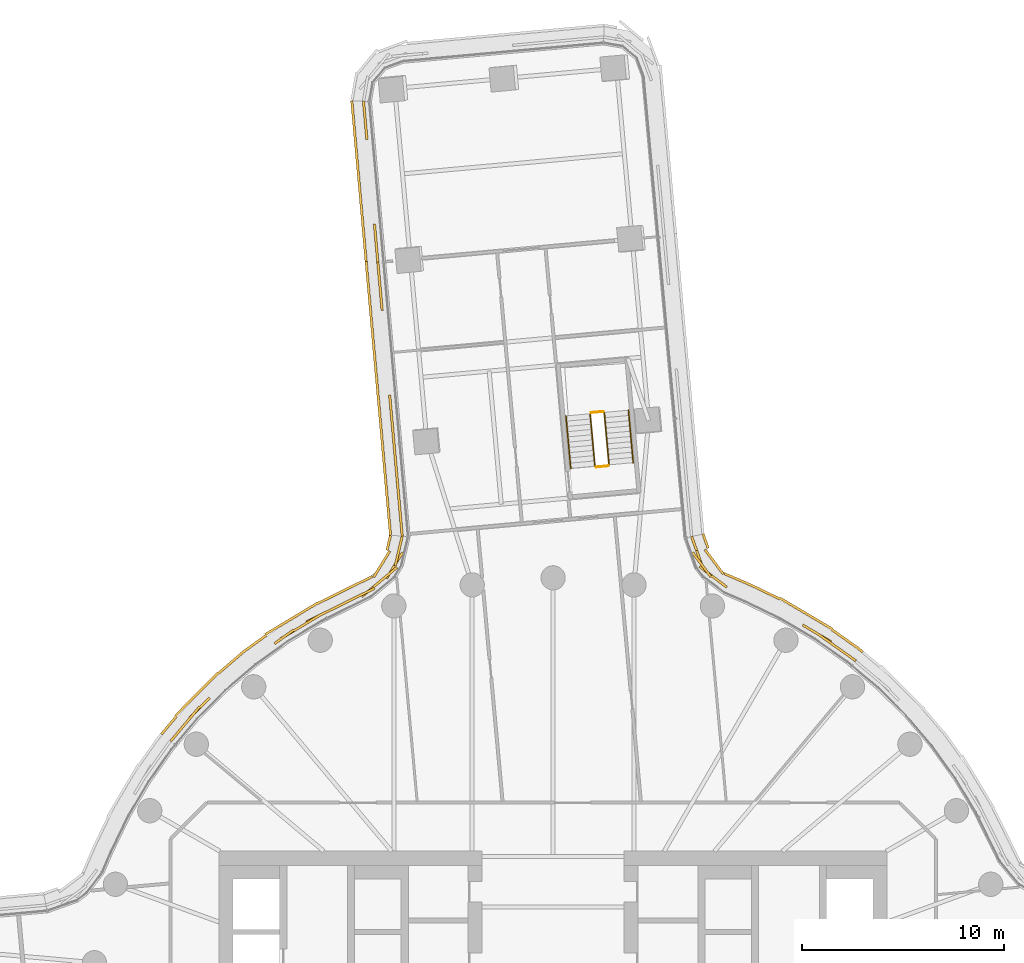
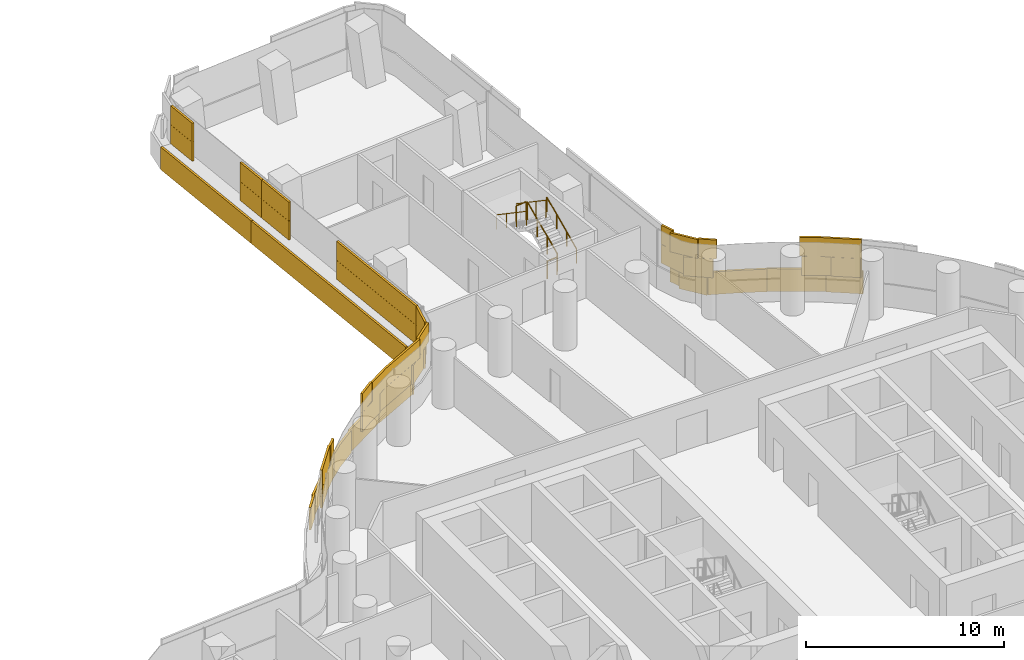
# One storey, part 30 of 31: 6 railings, 4 coverings.
"""IFC4 building model written with IfcOpenShell, lengths in metres."""

from ifc_helpers import new_model, si_unit, direction, frame, origin, origin_2d, place, context, subcontext, project, spatial, rectangle, circle, extrude, material, layer, layer_set, type_object, element, save


model = new_model("IFC4")

# Units and contexts
model_context = context("Model", 3, precision=1e-05, world=origin(), true_north=direction((0.0, 1.0)))
body_context = subcontext(model_context, "Body", "Model", "MODEL_VIEW")
ifc_project = project(units=[si_unit("LENGTHUNIT", "METRE"), si_unit("AREAUNIT", "SQUARE_METRE"), si_unit("VOLUMEUNIT", "CUBIC_METRE"), si_unit("PLANEANGLEUNIT", "RADIAN"), si_unit("MASSUNIT", "GRAM", prefix="KILO")], contexts=[model_context])

# Site, building, storey
site_placement = place(None, origin())
site = spatial("IfcSite", under=ifc_project, at=site_placement, CompositionType="ELEMENT")
building_placement = place(site_placement, origin())
building = spatial("IfcBuilding", under=site, at=building_placement, Name="Tamarind Cross Interchange Tower", CompositionType="ELEMENT")
storey_placement = place(building_placement, frame((0.0, 0.0, 52.75)))
storey = spatial("IfcBuildingStorey", under=building, at=storey_placement, Name="L11", CompositionType="ELEMENT", Elevation=52.75)

# Railings
ifc_material_1 = material(Name="Stair guard")
railing_type_1 = type_object("IfcRailingType", Name="Stair guard", PredefinedType="GUARDRAIL", material=ifc_material_1)
railing_1_placement = place(storey_placement, frame((2.762451171875, 28.578857421875, 0.17041015625)))
element("IfcRailing", 1, at=railing_1_placement, inside=storey, type_object=railing_type_1, Name="L11 ST4 stair guard 1", PredefinedType="GUARDRAIL", context=body_context, shape_type="SweptSolid", body=[
    extrude(circle(Radius=0.02392578125, at=origin_2d()), frame((0.0, 0.0, 1.076171875), z_axis=(-0.076173906507, 0.832808534539, 0.548295067247), x_axis=(-0.995843024037, -0.091086066319, 0.0)), (0.0, 0.0, 1.0), 3.10888671875),
    extrude(circle(Radius=0.02099609375, at=origin_2d()), origin(), (0.0, 0.0, 1.0), 1.052001953125),
    extrude(circle(Radius=0.02099609375, at=origin_2d()), frame((-0.078857421875, 0.863037109375, 0.568115234375)), (0.0, 0.0, 1.0), 1.052001953125),
    extrude(circle(Radius=0.02099609375, at=origin_2d()), frame((-0.157958984375, 1.72607421875, 1.136474609375)), (0.0, 0.0, 1.0), 1.052001953125),
    extrude(circle(Radius=0.02099609375, at=origin_2d()), frame((-0.23681640625, 2.589111328125, 1.70458984375)), (0.0, 0.0, 1.0), 1.052001953125),
])
railing_2_placement = place(storey_placement, frame((2.471435546875, 31.21337890625, 1.875)))
element("IfcRailing", 2, at=railing_2_placement, inside=storey, type_object=railing_type_1, Name="L11 ST4 stair guard 2", PredefinedType="GUARDRAIL", context=body_context, shape_type="SweptSolid", body=[
    extrude(circle(Radius=0.02392578125, at=origin_2d()), frame((0.0, 0.0, 1.076171875), z_axis=(-0.995839683098, -0.091122585382, 0.0), x_axis=(0.091122585382, -0.995839683098, 0.0)), (0.0, 0.0, 1.0), 0.60009765625),
    extrude(circle(Radius=0.02099609375, at=origin_2d()), origin(), (0.0, 0.0, 1.0), 1.052001953125),
    extrude(circle(Radius=0.02099609375, at=origin_2d()), frame((-0.59765625, -0.0546875, 0.0)), (0.0, 0.0, 1.0), 1.052001953125),
])
railing_3_placement = place(storey_placement, frame((1.82861328125, 31.104248046875, 2.04541015625)))
element("IfcRailing", 3, at=railing_3_placement, inside=storey, type_object=railing_type_1, Name="L11 ST4 stair guard 3", PredefinedType="GUARDRAIL", context=body_context, shape_type="SweptSolid", body=[
    extrude(circle(Radius=0.02392578125, at=origin_2d()), frame((0.0, 0.0, 1.076171875), z_axis=(0.076173906507, -0.832808534539, 0.548295067247), x_axis=(0.995843024037, 0.091086066319, 0.0)), (0.0, 0.0, 1.0), 3.10888671875),
    extrude(circle(Radius=0.02099609375, at=origin_2d()), origin(), (0.0, 0.0, 1.0), 1.052001953125),
    extrude(circle(Radius=0.02099609375, at=origin_2d()), frame((0.078857421875, -0.863037109375, 0.568115234375)), (0.0, 0.0, 1.0), 1.052001953125),
    extrude(circle(Radius=0.02099609375, at=origin_2d()), frame((0.157958984375, -1.72607421875, 1.136474609375)), (0.0, 0.0, 1.0), 1.052001953125),
    extrude(circle(Radius=0.02099609375, at=origin_2d()), frame((0.23681640625, -2.589111328125, 1.70458984375)), (0.0, 0.0, 1.0), 1.052001953125),
])
railing_4_placement = place(storey_placement, frame((2.71728515625, 28.5244140625, 0.0)))
element("IfcRailing", 4, at=railing_4_placement, inside=storey, type_object=railing_type_1, Name="L11 ST4 stair guard 4", PredefinedType="GUARDRAIL", context=body_context, shape_type="SweptSolid", body=[
    extrude(circle(Radius=0.02392578125, at=origin_2d()), frame((0.0, 0.0, 1.076171875), z_axis=(-0.995876516945, -0.090719143496, 0.0), x_axis=(0.090719143496, -0.995876516945, 0.0)), (0.0, 0.0, 1.0), 0.60009765625),
    extrude(circle(Radius=0.02099609375, at=origin_2d()), origin(), (0.0, 0.0, 1.0), 1.052001953125),
    extrude(circle(Radius=0.02099609375, at=origin_2d()), frame((-0.59765625, -0.054443359375, 0.0)), (0.0, 0.0, 1.0), 1.052001953125),
])
ifc_material_2 = material(Name="Stair handrail")
railing_type_2 = type_object("IfcRailingType", Name="Stair handrail", PredefinedType="HANDRAIL", material=ifc_material_2)
railing_5_placement = place(storey_placement, frame((3.95751953125, 28.68798828125, 0.17041015625)))
element("IfcRailing", 5, at=railing_5_placement, inside=storey, type_object=railing_type_2, Name="L11 ST4 stair handrail 1", PredefinedType="HANDRAIL", context=body_context, shape_type="SweptSolid", body=[
    extrude(circle(Radius=0.02392578125, at=origin_2d()), frame((0.0, 0.0, 0.8759765625), z_axis=(-0.076168924965, 0.832832596061, 0.548259210418), x_axis=(-0.995843803011, -0.091077549399, 0.0)), (0.0, 0.0, 1.0), 3.109130859375),
    extrude(circle(Radius=0.02099609375, at=origin_2d()), origin(), (0.0, 0.0, 1.0), 0.851806640625),
    extrude(circle(Radius=0.02099609375, at=origin_2d()), frame((-0.078857421875, 0.863037109375, 0.568115234375)), (0.0, 0.0, 1.0), 0.851806640625),
    extrude(circle(Radius=0.02099609375, at=origin_2d()), frame((-0.157958984375, 1.726318359375, 1.136474609375)), (0.0, 0.0, 1.0), 0.851806640625),
    extrude(circle(Radius=0.02099609375, at=origin_2d()), frame((-0.23681640625, 2.58935546875, 1.70458984375)), (0.0, 0.0, 1.0), 0.851806640625),
])
railing_6_placement = place(storey_placement, frame((0.633544921875, 30.9951171875, 2.04541015625)))
element("IfcRailing", 6, at=railing_6_placement, inside=storey, type_object=railing_type_2, Name="L11 ST4 stair handrail 2", PredefinedType="HANDRAIL", context=body_context, shape_type="SweptSolid", body=[
    extrude(circle(Radius=0.02392578125, at=origin_2d()), frame((0.0, 0.0, 0.8759765625), z_axis=(0.076168924965, -0.832832596061, 0.548259210418), x_axis=(0.995843803011, 0.091077549399, 0.0)), (0.0, 0.0, 1.0), 3.109130859375),
    extrude(circle(Radius=0.02099609375, at=origin_2d()), origin(), (0.0, 0.0, 1.0), 0.851806640625),
    extrude(circle(Radius=0.02099609375, at=origin_2d()), frame((0.078857421875, -0.863037109375, 0.568115234375)), (0.0, 0.0, 1.0), 0.851806640625),
    extrude(circle(Radius=0.02099609375, at=origin_2d()), frame((0.157958984375, -1.726318359375, 1.136474609375)), (0.0, 0.0, 1.0), 0.851806640625),
    extrude(circle(Radius=0.02099609375, at=origin_2d()), frame((0.23681640625, -2.58935546875, 1.70458984375)), (0.0, 0.0, 1.0), 0.851806640625),
])

# Coverings
ifc_material_3 = material(Name="Terracotta", Category="masonry")
ifc_layer = layer(ifc_material_3, 0.1201171875)
ifc_layer_set = layer_set([ifc_layer], Name="Terracotta")
covering_type = type_object("IfcCoveringType", Name="Terracotta baguette screen unit", PredefinedType="MOLDING", material=ifc_layer_set)
covering_1_placement = place(storey_placement, origin())
element("IfcCovering", 7, at=covering_1_placement, inside=storey, type_object=covering_type, Name="SCR-L11-01-00", PredefinedType="MOLDING", context=body_context, shape_type="SweptSolid", body=[
    extrude(rectangle(XDim=0.760009765625, YDim=0.1201171875, at=origin_2d()), frame((-9.32958984375, 46.162109375, 1.404052734375), z_axis=(0.0, 0.0, 1.0), x_axis=(0.088684340968, -0.996059781171, 0.0)), (0.0, 0.0, 1.0), 1.1669921875),
    extrude(rectangle(XDim=1.146484375, YDim=0.1201171875, at=origin_2d()), frame((-9.245849609375, 45.222412109375, 1.404052734375), z_axis=(0.0, 0.0, 1.0), x_axis=(0.088684340968, -0.996059781171, 0.0)), (0.0, 0.0, 1.0), 1.1669921875),
    extrude(rectangle(XDim=0.673583984375, YDim=0.1201171875, at=origin_2d()), frame((-8.793701171875, 40.142578125, 1.404052734375), z_axis=(0.0, 0.0, 1.0), x_axis=(0.088684340968, -0.996059781171, 0.0)), (0.0, 0.0, 1.0), 1.1669921875),
    extrude(rectangle(XDim=1.233154296875, YDim=0.1201171875, at=origin_2d()), frame((-8.7099609375, 39.202880859375, 1.404052734375), z_axis=(0.0, 0.0, 1.0), x_axis=(0.088684340968, -0.996059781171, 0.0)), (0.0, 0.0, 1.0), 1.1669921875),
    extrude(rectangle(XDim=1.510009765625, YDim=0.1201171875, at=origin_2d()), frame((-9.29638671875, 45.78857421875, 2.5791015625), z_axis=(0.0, 0.0, 1.0), x_axis=(0.088684340968, -0.996059781171, 0.0)), (0.0, 0.0, 1.0), 1.1669921875),
    extrude(rectangle(XDim=0.396484375, YDim=0.1201171875, at=origin_2d()), frame((-9.212646484375, 44.848876953125, 2.5791015625), z_axis=(0.0, 0.0, 1.0), x_axis=(0.088684340968, -0.996059781171, 0.0)), (0.0, 0.0, 1.0), 1.1669921875),
    extrude(rectangle(XDim=1.423583984375, YDim=0.1201171875, at=origin_2d()), frame((-8.76025390625, 39.76904296875, 2.5791015625), z_axis=(0.0, 0.0, 1.0), x_axis=(0.088684340968, -0.996059781171, 0.0)), (0.0, 0.0, 1.0), 1.1669921875),
    extrude(rectangle(XDim=0.483154296875, YDim=0.1201171875, at=origin_2d()), frame((-8.6767578125, 38.82958984375, 2.5791015625), z_axis=(0.0, 0.0, 1.0), x_axis=(0.088684340968, -0.996059781171, 0.0)), (0.0, 0.0, 1.0), 1.1669921875),
    extrude(rectangle(XDim=0.760009765625, YDim=0.1201171875, at=origin_2d()), frame((-9.907470703125, 46.1806640625, 0.00390625), z_axis=(0.0, 0.0, 1.0), x_axis=(0.088684340968, -0.996059781171, 0.0)), (0.0, 0.0, 1.0), 1.39208984375),
    extrude(rectangle(XDim=1.52001953125, YDim=0.1201171875, at=origin_2d()), frame((-9.80810546875, 45.065185546875, 0.00390625), z_axis=(0.0, 0.0, 1.0), x_axis=(0.088684340968, -0.996059781171, 0.0)), (0.0, 0.0, 1.0), 1.39208984375),
    extrude(rectangle(XDim=1.52001953125, YDim=0.1201171875, at=origin_2d()), frame((-9.675048828125, 43.571044921875, 0.00390625), z_axis=(0.0, 0.0, 1.0), x_axis=(0.088684340968, -0.996059781171, 0.0)), (0.0, 0.0, 1.0), 1.39208984375),
    extrude(rectangle(XDim=1.52001953125, YDim=0.1201171875, at=origin_2d()), frame((-9.5419921875, 42.076904296875, 0.00390625), z_axis=(0.0, 0.0, 1.0), x_axis=(0.088684340968, -0.996059781171, 0.0)), (0.0, 0.0, 1.0), 1.39208984375),
    extrude(rectangle(XDim=1.52001953125, YDim=0.1201171875, at=origin_2d()), frame((-9.4091796875, 40.582763671875, 0.00390625), z_axis=(0.0, 0.0, 1.0), x_axis=(0.088684340968, -0.996059781171, 0.0)), (0.0, 0.0, 1.0), 1.39208984375),
    extrude(rectangle(XDim=1.2265625, YDim=0.1201171875, at=origin_2d()), frame((-9.2890625, 39.23486328125, 0.00390625), z_axis=(0.0, 0.0, 1.0), x_axis=(0.088684340968, -0.996059781171, 0.0)), (0.0, 0.0, 1.0), 1.39208984375),
])
covering_2_placement = place(storey_placement, origin())
element("IfcCovering", 8, at=covering_2_placement, inside=storey, type_object=covering_type, Name="SCR-L11-01-01", PredefinedType="MOLDING", context=body_context, shape_type="SweptSolid", body=[
    extrude(rectangle(XDim=0.286865234375, YDim=0.1201171875, at=origin_2d()), frame((-8.6435546875, 38.4560546875, 1.404052734375), z_axis=(0.0, 0.0, 1.0), x_axis=(0.088684340968, -0.996059781171, 0.0)), (0.0, 0.0, 1.0), 1.1669921875),
    extrude(rectangle(XDim=1.52001953125, YDim=0.1201171875, at=origin_2d()), frame((-8.564697265625, 37.571044921875, 1.404052734375), z_axis=(0.0, 0.0, 1.0), x_axis=(0.088684340968, -0.996059781171, 0.0)), (0.0, 0.0, 1.0), 1.1669921875),
    extrude(rectangle(XDim=0.632568359375, YDim=0.1201171875, at=origin_2d()), frame((-8.470458984375, 36.513916015625, 1.404052734375), z_axis=(0.0, 0.0, 1.0), x_axis=(0.088684340968, -0.996059781171, 0.0)), (0.0, 0.0, 1.0), 1.1669921875),
    extrude(rectangle(XDim=1.1875, YDim=0.1201171875, at=origin_2d()), frame((-8.018310546875, 31.43408203125, 1.404052734375), z_axis=(0.0, 0.0, 1.0), x_axis=(0.088684340968, -0.996059781171, 0.0)), (0.0, 0.0, 1.0), 1.1669921875),
    extrude(rectangle(XDim=1.52001953125, YDim=0.1201171875, at=origin_2d()), frame((-7.8994140625, 30.1005859375, 1.404052734375), z_axis=(0.0, 0.0, 1.0), x_axis=(0.088684340968, -0.996059781171, 0.0)), (0.0, 0.0, 1.0), 1.1669921875),
    extrude(rectangle(XDim=1.52001953125, YDim=0.1201171875, at=origin_2d()), frame((-7.7666015625, 28.6064453125, 1.404052734375), z_axis=(0.0, 0.0, 1.0), x_axis=(0.088684340968, -0.996059781171, 0.0)), (0.0, 0.0, 1.0), 1.1669921875),
    extrude(rectangle(XDim=1.52001953125, YDim=0.1201171875, at=origin_2d()), frame((-7.633544921875, 27.1123046875, 1.404052734375), z_axis=(0.0, 0.0, 1.0), x_axis=(0.088684340968, -0.996059781171, 0.0)), (0.0, 0.0, 1.0), 1.1669921875),
    extrude(rectangle(XDim=1.320556640625, YDim=0.1201171875, at=origin_2d()), frame((-7.5087890625, 25.712646484375, 1.404052734375), z_axis=(0.0, 0.0, 1.0), x_axis=(0.088684340968, -0.996059781171, 0.0)), (0.0, 0.0, 1.0), 1.1669921875),
    extrude(rectangle(XDim=1.036865234375, YDim=0.1201171875, at=origin_2d()), frame((-8.610107421875, 38.08251953125, 2.5791015625), z_axis=(0.0, 0.0, 1.0), x_axis=(0.088684340968, -0.996059781171, 0.0)), (0.0, 0.0, 1.0), 1.1669921875),
    extrude(rectangle(XDim=1.382568359375, YDim=0.1201171875, at=origin_2d()), frame((-8.50390625, 36.887451171875, 2.5791015625), z_axis=(0.0, 0.0, 1.0), x_axis=(0.088684340968, -0.996059781171, 0.0)), (0.0, 0.0, 1.0), 1.1669921875),
    extrude(rectangle(XDim=0.4375, YDim=0.1201171875, at=origin_2d()), frame((-8.051513671875, 31.8076171875, 2.5791015625), z_axis=(0.0, 0.0, 1.0), x_axis=(0.088684340968, -0.996059781171, 0.0)), (0.0, 0.0, 1.0), 1.1669921875),
    extrude(rectangle(XDim=1.52001953125, YDim=0.1201171875, at=origin_2d()), frame((-7.966064453125, 30.84765625, 2.5791015625), z_axis=(0.0, 0.0, 1.0), x_axis=(0.088684340968, -0.996059781171, 0.0)), (0.0, 0.0, 1.0), 1.1669921875),
    extrude(rectangle(XDim=1.52001953125, YDim=0.1201171875, at=origin_2d()), frame((-7.8330078125, 29.353515625, 2.5791015625), z_axis=(0.0, 0.0, 1.0), x_axis=(0.088684340968, -0.996059781171, 0.0)), (0.0, 0.0, 1.0), 1.1669921875),
    extrude(rectangle(XDim=1.52001953125, YDim=0.1201171875, at=origin_2d()), frame((-7.699951171875, 27.859375, 2.5791015625), z_axis=(0.0, 0.0, 1.0), x_axis=(0.088684340968, -0.996059781171, 0.0)), (0.0, 0.0, 1.0), 1.1669921875),
    extrude(rectangle(XDim=1.52001953125, YDim=0.1201171875, at=origin_2d()), frame((-7.56689453125, 26.365234375, 2.5791015625), z_axis=(0.0, 0.0, 1.0), x_axis=(0.088684340968, -0.996059781171, 0.0)), (0.0, 0.0, 1.0), 1.1669921875),
    extrude(rectangle(XDim=0.570556640625, YDim=0.1201171875, at=origin_2d()), frame((-7.4755859375, 25.339111328125, 2.5791015625), z_axis=(0.0, 0.0, 1.0), x_axis=(0.088684340968, -0.996059781171, 0.0)), (0.0, 0.0, 1.0), 1.1669921875),
    extrude(rectangle(XDim=0.29345703125, YDim=0.1201171875, at=origin_2d()), frame((-9.2216796875, 38.47802734375, 0.00390625), z_axis=(0.0, 0.0, 1.0), x_axis=(0.088684340968, -0.996059781171, 0.0)), (0.0, 0.0, 1.0), 1.39208984375),
    extrude(rectangle(XDim=1.52001953125, YDim=0.1201171875, at=origin_2d()), frame((-9.14306640625, 37.5947265625, 0.00390625), z_axis=(0.0, 0.0, 1.0), x_axis=(0.088684340968, -0.996059781171, 0.0)), (0.0, 0.0, 1.0), 1.39208984375),
    extrude(rectangle(XDim=1.52001953125, YDim=0.1201171875, at=origin_2d()), frame((-9.010009765625, 36.1005859375, 0.00390625), z_axis=(0.0, 0.0, 1.0), x_axis=(0.088684340968, -0.996059781171, 0.0)), (0.0, 0.0, 1.0), 1.39208984375),
    extrude(rectangle(XDim=1.52001953125, YDim=0.1201171875, at=origin_2d()), frame((-8.876953125, 34.6064453125, 0.00390625), z_axis=(0.0, 0.0, 1.0), x_axis=(0.088684340968, -0.996059781171, 0.0)), (0.0, 0.0, 1.0), 1.39208984375),
    extrude(rectangle(XDim=1.52001953125, YDim=0.1201171875, at=origin_2d()), frame((-8.743896484375, 33.1123046875, 0.00390625), z_axis=(0.0, 0.0, 1.0), x_axis=(0.088684340968, -0.996059781171, 0.0)), (0.0, 0.0, 1.0), 1.39208984375),
    extrude(rectangle(XDim=1.52001953125, YDim=0.1201171875, at=origin_2d()), frame((-8.61083984375, 31.618408203125, 0.00390625), z_axis=(0.0, 0.0, 1.0), x_axis=(0.088684340968, -0.996059781171, 0.0)), (0.0, 0.0, 1.0), 1.39208984375),
    extrude(rectangle(XDim=1.52001953125, YDim=0.1201171875, at=origin_2d()), frame((-8.477783203125, 30.124267578125, 0.00390625), z_axis=(0.0, 0.0, 1.0), x_axis=(0.088684340968, -0.996059781171, 0.0)), (0.0, 0.0, 1.0), 1.39208984375),
    extrude(rectangle(XDim=1.52001953125, YDim=0.1201171875, at=origin_2d()), frame((-8.344970703125, 28.630126953125, 0.00390625), z_axis=(0.0, 0.0, 1.0), x_axis=(0.088684340968, -0.996059781171, 0.0)), (0.0, 0.0, 1.0), 1.39208984375),
    extrude(rectangle(XDim=1.52001953125, YDim=0.1201171875, at=origin_2d()), frame((-8.2119140625, 27.135986328125, 0.00390625), z_axis=(0.0, 0.0, 1.0), x_axis=(0.088684340968, -0.996059781171, 0.0)), (0.0, 0.0, 1.0), 1.39208984375),
    extrude(rectangle(XDim=1.302734375, YDim=0.1201171875, at=origin_2d()), frame((-8.08837890625, 25.750244140625, 0.00390625), z_axis=(0.0, 0.0, 1.0), x_axis=(0.088684340968, -0.996059781171, 0.0)), (0.0, 0.0, 1.0), 1.39208984375),
])
covering_3_placement = place(storey_placement, origin())
element("IfcCovering", 9, at=covering_3_placement, inside=storey, type_object=covering_type, Name="SCR-L11-02-00", PredefinedType="MOLDING", context=body_context, shape_type="SweptSolid", body=[
    extrude(rectangle(XDim=0.760009765625, YDim=0.1201171875, at=origin_2d()), frame((-7.53662109375, 24.69482421875, 1.404052734375), z_axis=(0.0, 0.0, 1.0), x_axis=(-0.229252250764, -0.973367045631, 0.0)), (0.0, 0.0, 1.0), 1.1669921875),
    extrude(rectangle(XDim=1.52001953125, YDim=0.1201171875, at=origin_2d()), frame((-7.82861328125, 23.614013671875, 1.404052734375), z_axis=(0.0, 0.0, 1.0), x_axis=(-0.525918625268, -0.850534890287, 0.0)), (0.0, 0.0, 1.0), 1.1669921875),
    extrude(rectangle(XDim=1.52001953125, YDim=0.1201171875, at=origin_2d()), frame((-8.866455078125, 22.55419921875, 1.404052734375), z_axis=(0.0, 0.0, 1.0), x_axis=(-0.768363485757, -0.640013713724, 0.0)), (0.0, 0.0, 1.0), 1.1669921875),
    extrude(rectangle(XDim=1.52001953125, YDim=0.1201171875, at=origin_2d()), frame((-10.16552734375, 21.820068359375, 1.404052734375), z_axis=(0.0, 0.0, 1.0), x_axis=(-0.896492548518, -0.443058811505, 0.0)), (0.0, 0.0, 1.0), 1.1669921875),
    extrude(rectangle(XDim=1.52001953125, YDim=0.1201171875, at=origin_2d()), frame((-11.51025390625, 21.155517578125, 1.404052734375), z_axis=(0.0, 0.0, 1.0), x_axis=(-0.896492548518, -0.443058811505, 0.0)), (0.0, 0.0, 1.0), 1.1669921875),
    extrude(rectangle(XDim=1.52001953125, YDim=0.1201171875, at=origin_2d()), frame((-12.797607421875, 20.3857421875, 1.404052734375), z_axis=(0.0, 0.0, 1.0), x_axis=(-0.856843065292, -0.515577308909, 0.0)), (0.0, 0.0, 1.0), 1.1669921875),
    extrude(rectangle(XDim=0.404052734375, YDim=0.1201171875, at=origin_2d()), frame((-13.590576171875, 19.869384765625, 1.404052734375), z_axis=(0.0, 0.0, 1.0), x_axis=(-0.811340475102, -0.584573890505, 0.0)), (0.0, 0.0, 1.0), 1.1669921875),
    extrude(rectangle(XDim=1.416015625, YDim=0.1201171875, at=origin_2d()), frame((-17.463134765625, 16.567138671875, 1.404052734375), z_axis=(0.0, 0.0, 1.0), x_axis=(-0.704057148523, -0.710143317658, 0.0)), (0.0, 0.0, 1.0), 1.1669921875),
    extrude(rectangle(XDim=1.478515625, YDim=0.1201171875, at=origin_2d()), frame((-18.41552734375, 15.492431640625, 1.404052734375), z_axis=(0.0, 0.0, 1.0), x_axis=(-0.643009266048, -0.765858396687, 0.0)), (0.0, 0.0, 1.0), 1.1669921875),
    extrude(rectangle(XDim=1.510009765625, YDim=0.1201171875, at=origin_2d()), frame((-7.62255859375, 24.329833984375, 2.5791015625), z_axis=(0.0, 0.0, 1.0), x_axis=(-0.229252250764, -0.973367045631, 0.0)), (0.0, 0.0, 1.0), 1.1669921875),
    extrude(rectangle(XDim=1.52001953125, YDim=0.1201171875, at=origin_2d()), frame((-8.2900390625, 23.0341796875, 2.5791015625), z_axis=(0.0, 0.0, 1.0), x_axis=(-0.768363485757, -0.640013713724, 0.0)), (0.0, 0.0, 1.0), 1.1669921875),
    extrude(rectangle(XDim=1.52001953125, YDim=0.1201171875, at=origin_2d()), frame((-9.49267578125, 22.151611328125, 2.5791015625), z_axis=(0.0, 0.0, 1.0), x_axis=(-0.897728945573, -0.440548226964, 0.0)), (0.0, 0.0, 1.0), 1.1669921875),
    extrude(rectangle(XDim=1.52001953125, YDim=0.1201171875, at=origin_2d()), frame((-10.837890625, 21.48779296875, 2.5791015625), z_axis=(0.0, 0.0, 1.0), x_axis=(-0.896492548518, -0.443058811505, 0.0)), (0.0, 0.0, 1.0), 1.1669921875),
    extrude(rectangle(XDim=1.52001953125, YDim=0.1201171875, at=origin_2d()), frame((-12.15478515625, 20.7724609375, 2.5791015625), z_axis=(0.0, 0.0, 1.0), x_axis=(-0.856843065292, -0.515577308909, 0.0)), (0.0, 0.0, 1.0), 1.1669921875),
    extrude(rectangle(XDim=1.154052734375, YDim=0.1201171875, at=origin_2d()), frame((-13.2861328125, 20.088623046875, 2.5791015625), z_axis=(0.0, 0.0, 1.0), x_axis=(-0.811340475102, -0.584573890505, 0.0)), (0.0, 0.0, 1.0), 1.1669921875),
    extrude(rectangle(XDim=0.666015625, YDim=0.1201171875, at=origin_2d()), frame((-17.198974609375, 16.83349609375, 2.5791015625), z_axis=(0.0, 0.0, 1.0), x_axis=(-0.704057148523, -0.710143317658, 0.0)), (0.0, 0.0, 1.0), 1.1669921875),
    extrude(rectangle(XDim=1.52001953125, YDim=0.1201171875, at=origin_2d()), frame((-17.943359375, 16.0546875, 2.5791015625), z_axis=(0.0, 0.0, 1.0), x_axis=(-0.643009266048, -0.765858396687, 0.0)), (0.0, 0.0, 1.0), 1.1669921875),
    extrude(rectangle(XDim=0.728515625, YDim=0.1201171875, at=origin_2d()), frame((-18.65673828125, 15.205078125, 2.5791015625), z_axis=(0.0, 0.0, 1.0), x_axis=(-0.643009266048, -0.765858396687, 0.0)), (0.0, 0.0, 1.0), 1.1669921875),
    extrude(rectangle(XDim=0.760009765625, YDim=0.1201171875, at=origin_2d()), frame((-8.117919921875, 24.7314453125, 0.00390625), z_axis=(0.0, 0.0, 1.0), x_axis=(-0.229252250764, -0.973367045631, 0.0)), (0.0, 0.0, 1.0), 1.39208984375),
    extrude(rectangle(XDim=1.52001953125, YDim=0.1201171875, at=origin_2d()), frame((-8.463623046875, 23.67822265625, 0.00390625), z_axis=(0.0, 0.0, 1.0), x_axis=(-0.525918625268, -0.850534890287, 0.0)), (0.0, 0.0, 1.0), 1.39208984375),
    extrude(rectangle(XDim=1.52001953125, YDim=0.1201171875, at=origin_2d()), frame((-9.6142578125, 22.7314453125, 0.00390625), z_axis=(0.0, 0.0, 1.0), x_axis=(-0.897728945573, -0.440548226964, 0.0)), (0.0, 0.0, 1.0), 1.39208984375),
    extrude(rectangle(XDim=1.52001953125, YDim=0.1201171875, at=origin_2d()), frame((-10.95947265625, 22.06787109375, 0.00390625), z_axis=(0.0, 0.0, 1.0), x_axis=(-0.896492548518, -0.443058811505, 0.0)), (0.0, 0.0, 1.0), 1.39208984375),
    extrude(rectangle(XDim=1.52001953125, YDim=0.1201171875, at=origin_2d()), frame((-12.283203125, 21.364990234375, 0.00390625), z_axis=(0.0, 0.0, 1.0), x_axis=(-0.856843065292, -0.515577308909, 0.0)), (0.0, 0.0, 1.0), 1.39208984375),
    extrude(rectangle(XDim=1.52001953125, YDim=0.1201171875, at=origin_2d()), frame((-13.568603515625, 20.591552734375, 0.00390625), z_axis=(0.0, 0.0, 1.0), x_axis=(-0.856843065292, -0.515577308909, 0.0)), (0.0, 0.0, 1.0), 1.39208984375),
    extrude(rectangle(XDim=1.52001953125, YDim=0.1201171875, at=origin_2d()), frame((-14.785888671875, 19.715576171875, 0.00390625), z_axis=(0.0, 0.0, 1.0), x_axis=(-0.811340475102, -0.584573890505, 0.0)), (0.0, 0.0, 1.0), 1.39208984375),
    extrude(rectangle(XDim=1.52001953125, YDim=0.1201171875, at=origin_2d()), frame((-15.954345703125, 18.776611328125, 0.00390625), z_axis=(0.0, 0.0, 1.0), x_axis=(-0.760295606781, -0.64957723968, 0.0)), (0.0, 0.0, 1.0), 1.39208984375),
    extrude(rectangle(XDim=1.52001953125, YDim=0.1201171875, at=origin_2d()), frame((-17.071533203125, 17.77734375, 0.00390625), z_axis=(0.0, 0.0, 1.0), x_axis=(-0.704057148523, -0.710143317658, 0.0)), (0.0, 0.0, 1.0), 1.39208984375),
    extrude(rectangle(XDim=1.52001953125, YDim=0.1201171875, at=origin_2d()), frame((-18.127685546875, 16.712158203125, 0.00390625), z_axis=(0.0, 0.0, 1.0), x_axis=(-0.704057148523, -0.710143317658, 0.0)), (0.0, 0.0, 1.0), 1.39208984375),
    extrude(rectangle(XDim=1.130859375, YDim=0.1201171875, at=origin_2d()), frame((-18.974609375, 15.71923828125, 0.00390625), z_axis=(0.0, 0.0, 1.0), x_axis=(-0.643009266048, -0.765858396687, 0.0)), (0.0, 0.0, 1.0), 1.39208984375),
])
covering_4_placement = place(storey_placement, origin())
element("IfcCovering", 10, at=covering_4_placement, inside=storey, type_object=covering_type, Name="SCR-L11-14-01", PredefinedType="MOLDING", context=body_context, shape_type="SweptSolid", body=[
    extrude(rectangle(XDim=0.04150390625, YDim=0.1201171875, at=origin_2d()), frame((14.91796875, 18.89794921875, 1.404052734375), z_axis=(0.0, 0.0, 1.0), x_axis=(-0.765858396687, 0.643009266048, 0.0)), (0.0, 0.0, 1.0), 1.1669921875),
    extrude(rectangle(XDim=1.52001953125, YDim=0.1201171875, at=origin_2d()), frame((14.306396484375, 19.357666015625, 1.404052734375), z_axis=(0.0, 0.0, 1.0), x_axis=(-0.816341886298, 0.577568978284, 0.0)), (0.0, 0.0, 1.0), 1.1669921875),
    extrude(rectangle(XDim=1.52001953125, YDim=0.1201171875, at=origin_2d()), frame((13.08154296875, 20.2236328125, 1.404052734375), z_axis=(0.0, 0.0, 1.0), x_axis=(-0.861248933065, 0.508183308752, 0.0)), (0.0, 0.0, 1.0), 1.1669921875),
    extrude(rectangle(XDim=1.52001953125, YDim=0.1201171875, at=origin_2d()), frame((7.8369140625, 23.099365234375, 1.404052734375), z_axis=(0.0, 0.0, 1.0), x_axis=(-0.796732032299, 0.604332746679, 0.0)), (0.0, 0.0, 1.0), 1.1669921875),
    extrude(rectangle(XDim=1.484619140625, YDim=0.1201171875, at=origin_2d()), frame((7.08935546875, 24.344970703125, 1.404052734375), z_axis=(0.0, 0.0, 1.0), x_axis=(-0.336051012939, 0.941843785722, 0.0)), (0.0, 0.0, 1.0), 1.1669921875),
    extrude(rectangle(XDim=0.79150390625, YDim=0.1201171875, at=origin_2d()), frame((14.62548828125, 19.132080078125, 2.5791015625), z_axis=(0.0, 0.0, 1.0), x_axis=(-0.816341886298, 0.577568978284, 0.0)), (0.0, 0.0, 1.0), 1.1669921875),
    extrude(rectangle(XDim=1.52001953125, YDim=0.1201171875, at=origin_2d()), frame((13.694091796875, 19.791015625, 2.5791015625), z_axis=(0.0, 0.0, 1.0), x_axis=(-0.816341886298, 0.577568978284, 0.0)), (0.0, 0.0, 1.0), 1.1669921875),
    extrude(rectangle(XDim=0.881591796875, YDim=0.1201171875, at=origin_2d()), frame((12.706298828125, 20.445068359375, 2.5791015625), z_axis=(0.0, 0.0, 1.0), x_axis=(-0.861248933065, 0.508183308752, 0.0)), (0.0, 0.0, 1.0), 1.1669921875),
    extrude(rectangle(XDim=0.9384765625, YDim=0.1201171875, at=origin_2d()), frame((8.206787109375, 22.81884765625, 2.5791015625), z_axis=(0.0, 0.0, 1.0), x_axis=(-0.796732032299, 0.604332746679, 0.0)), (0.0, 0.0, 1.0), 1.1669921875),
    extrude(rectangle(XDim=1.52001953125, YDim=0.1201171875, at=origin_2d()), frame((7.33837890625, 23.651123046875, 2.5791015625), z_axis=(0.0, 0.0, 1.0), x_axis=(-0.601175111711, 0.799117316205, 0.0)), (0.0, 0.0, 1.0), 1.1669921875),
    extrude(rectangle(XDim=0.734619140625, YDim=0.1201171875, at=origin_2d()), frame((6.96337890625, 24.6982421875, 2.5791015625), z_axis=(0.0, 0.0, 1.0), x_axis=(-0.336051012939, 0.941843785722, 0.0)), (0.0, 0.0, 1.0), 1.1669921875),
    extrude(rectangle(XDim=0.38916015625, YDim=0.1201171875, at=origin_2d()), frame((15.13720703125, 19.46337890625, 0.00390625), z_axis=(0.0, 0.0, 1.0), x_axis=(-0.765858396687, 0.643009266048, 0.0)), (0.0, 0.0, 1.0), 1.39208984375),
    extrude(rectangle(XDim=1.52001953125, YDim=0.1201171875, at=origin_2d()), frame((14.379150390625, 20.009521484375, 0.00390625), z_axis=(0.0, 0.0, 1.0), x_axis=(-0.816341886298, 0.577568978284, 0.0)), (0.0, 0.0, 1.0), 1.39208984375),
    extrude(rectangle(XDim=1.52001953125, YDim=0.1201171875, at=origin_2d()), frame((13.14111328125, 20.85498046875, 0.00390625), z_axis=(0.0, 0.0, 1.0), x_axis=(-0.861248933065, 0.508183308752, 0.0)), (0.0, 0.0, 1.0), 1.39208984375),
    extrude(rectangle(XDim=1.52001953125, YDim=0.1201171875, at=origin_2d()), frame((11.849365234375, 21.6171875, 0.00390625), z_axis=(0.0, 0.0, 1.0), x_axis=(-0.861248933065, 0.508183308752, 0.0)), (0.0, 0.0, 1.0), 1.39208984375),
    extrude(rectangle(XDim=1.52001953125, YDim=0.1201171875, at=origin_2d()), frame((10.508056640625, 22.28759765625, 0.00390625), z_axis=(0.0, 0.0, 1.0), x_axis=(-0.900272776334, 0.435326231914, 0.0)), (0.0, 0.0, 1.0), 1.39208984375),
    extrude(rectangle(XDim=1.52001953125, YDim=0.1201171875, at=origin_2d()), frame((9.14453125, 22.91162109375, 0.00390625), z_axis=(0.0, 0.0, 1.0), x_axis=(-0.91826371322, 0.395969383896, 0.0)), (0.0, 0.0, 1.0), 1.39208984375),
    extrude(rectangle(XDim=1.52001953125, YDim=0.1201171875, at=origin_2d()), frame((7.94921875, 23.793701171875, 0.00390625), z_axis=(0.0, 0.0, 1.0), x_axis=(-0.601175111711, 0.799117316205, 0.0)), (0.0, 0.0, 1.0), 1.39208984375),
    extrude(rectangle(XDim=0.740478515625, YDim=0.1201171875, at=origin_2d()), frame((7.531005859375, 24.815185546875, 0.00390625), z_axis=(0.0, 0.0, 1.0), x_axis=(-0.336051012939, 0.941843785722, 0.0)), (0.0, 0.0, 1.0), 1.39208984375),
])

save(model, "model.ifc")
